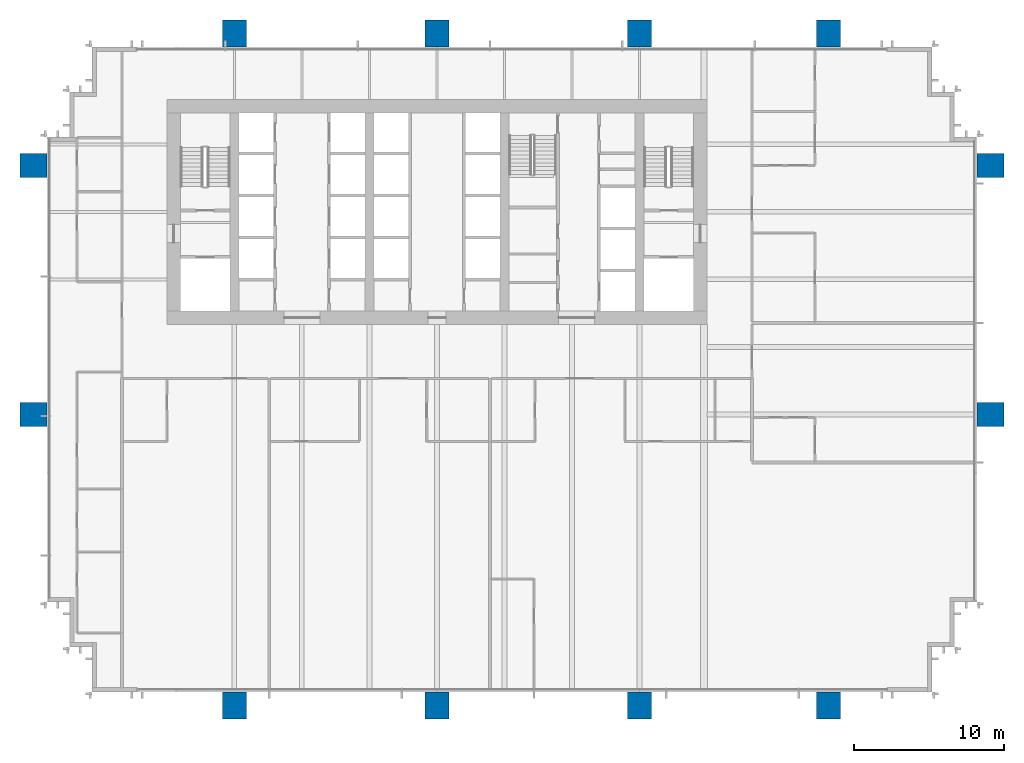
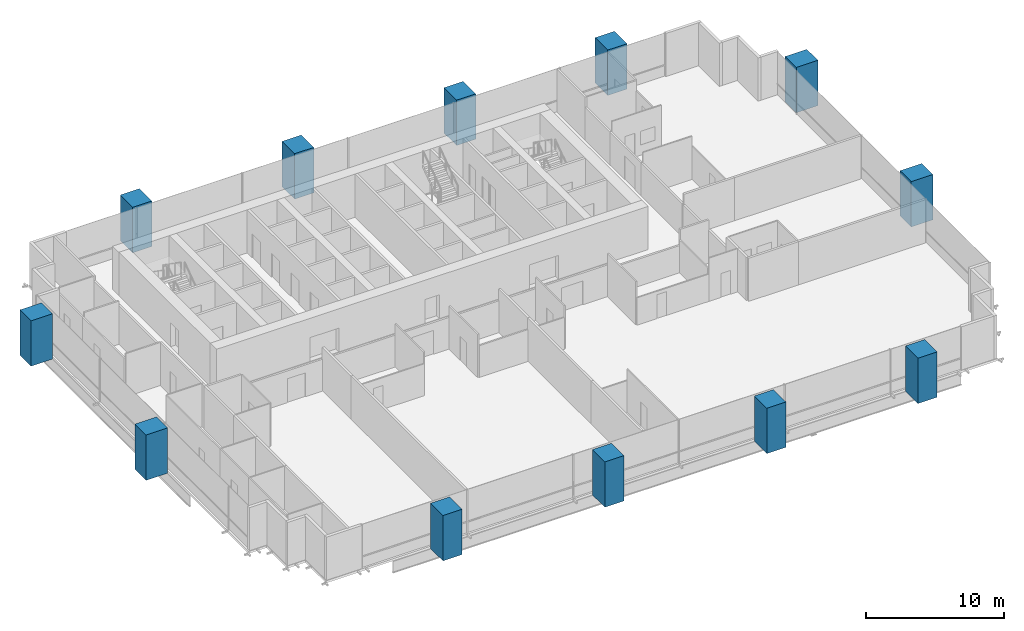
# One storey, part 1 of 17: 12 columns.
"""IFC4 building model written with IfcOpenShell, lengths in metres."""

from ifc_helpers import new_model, si_unit, direction, frame, origin, origin_2d, place, context, subcontext, project, spatial, rectangle, extrude, material, material_profile, profile_set, type_object, element, save


model = new_model("IFC4")

# Units and contexts
model_context = context("Model", 3, precision=1e-05, world=origin(), true_north=direction((0.0, 1.0)))
body_context = subcontext(model_context, "Body", "Model", "MODEL_VIEW")
ifc_project = project(units=[si_unit("LENGTHUNIT", "METRE"), si_unit("AREAUNIT", "SQUARE_METRE"), si_unit("VOLUMEUNIT", "CUBIC_METRE"), si_unit("PLANEANGLEUNIT", "RADIAN"), si_unit("MASSUNIT", "GRAM", prefix="KILO")], contexts=[model_context])

# Site, building, storey
site_placement = place(None, origin())
site = spatial("IfcSite", under=ifc_project, at=site_placement, CompositionType="ELEMENT")
building_placement = place(site_placement, origin())
building = spatial("IfcBuilding", under=site, at=building_placement, Name="Rattan Terrace Tower", CompositionType="ELEMENT")
storey_placement = place(building_placement, frame((0.0, 0.0, 83.699951171875)))
storey = spatial("IfcBuildingStorey", under=building, at=storey_placement, Name="L18", CompositionType="ELEMENT", Elevation=83.699951171875)

# Columns
ifc_material = material(Name="Concrete C60/75", Category="concrete")
ifc_material_profile = material_profile(ifc_material, rectangle(XDim=1.60009765625, YDim=1.800048828125, at=origin_2d()), Name="CFT 1800x1600")
ifc_profile_set = profile_set([ifc_material_profile], Name="Concrete C60/75")
column_type = type_object("IfcColumnType", Name="Frame exoskeleton column CFT 1800x1600", PredefinedType="COLUMN", material=ifc_profile_set)
for number, where, z_axis, x_axis, name in (
    (1, (-13.5, -32.89990234375, -0.199951171875), (0.0, 0.0, 1.0), (1.0, 0.0, 0.0), "exo-L18-001"),
    (2, (0.0, -32.89990234375, -0.199951171875), (0.0, 0.0, 1.0), (1.0, 0.0, 0.0), "exo-L18-002"),
    (3, (13.5, -32.89990234375, -0.199951171875), (0.0, 0.0, 1.0), (1.0, 0.0, 0.0), "exo-L18-003"),
    (4, (26.10009765625, -32.89990234375, -0.199951171875), (0.0, 0.0, 1.0), (1.0, 0.0, 0.0), "exo-L18-004"),
    (5, (-26.89990234375, -13.5, -0.199951171875), (0.0, 0.0, 1.0), (0.0, 1.0, 0.0), "exo-L18-005"),
    (6, (36.89990234375, -13.5, -0.199951171875), (0.0, 0.0, 1.0), (0.0, 1.0, 0.0), "exo-L18-006"),
    (7, (-26.89990234375, 3.10009765625, -0.199951171875), (0.0, 0.0, 1.0), (0.0, 1.0, 0.0), "exo-L18-007"),
    (8, (36.89990234375, 3.10009765625, -0.199951171875), (0.0, 0.0, 1.0), (0.0, 1.0, 0.0), "exo-L18-008"),
    (9, (-13.5, 11.89990234375, -0.199951171875), (0.0, 0.0, 1.0), (1.0, 0.0, 0.0), "exo-L18-009"),
    (10, (0.0, 11.89990234375, -0.199951171875), (0.0, 0.0, 1.0), (1.0, 0.0, 0.0), "exo-L18-010"),
    (11, (13.5, 11.89990234375, -0.199951171875), (0.0, 0.0, 1.0), (1.0, 0.0, 0.0), "exo-L18-011"),
    (12, (26.10009765625, 11.89990234375, -0.199951171875), (0.0, 0.0, 1.0), (1.0, 0.0, 0.0), "exo-L18-012"),
):
    element("IfcColumn", number, at=place(storey_placement, frame(where, z_axis=z_axis, x_axis=x_axis)), inside=storey, type_object=column_type, Name=name, PredefinedType="COLUMN", context=body_context, shape_type="SweptSolid", body=[
        extrude(rectangle(XDim=1.60009765625, YDim=1.800048828125, at=origin_2d()), origin(), (0.0, 0.0, 1.0), 4.0),
    ])

save(model, "model.ifc")
